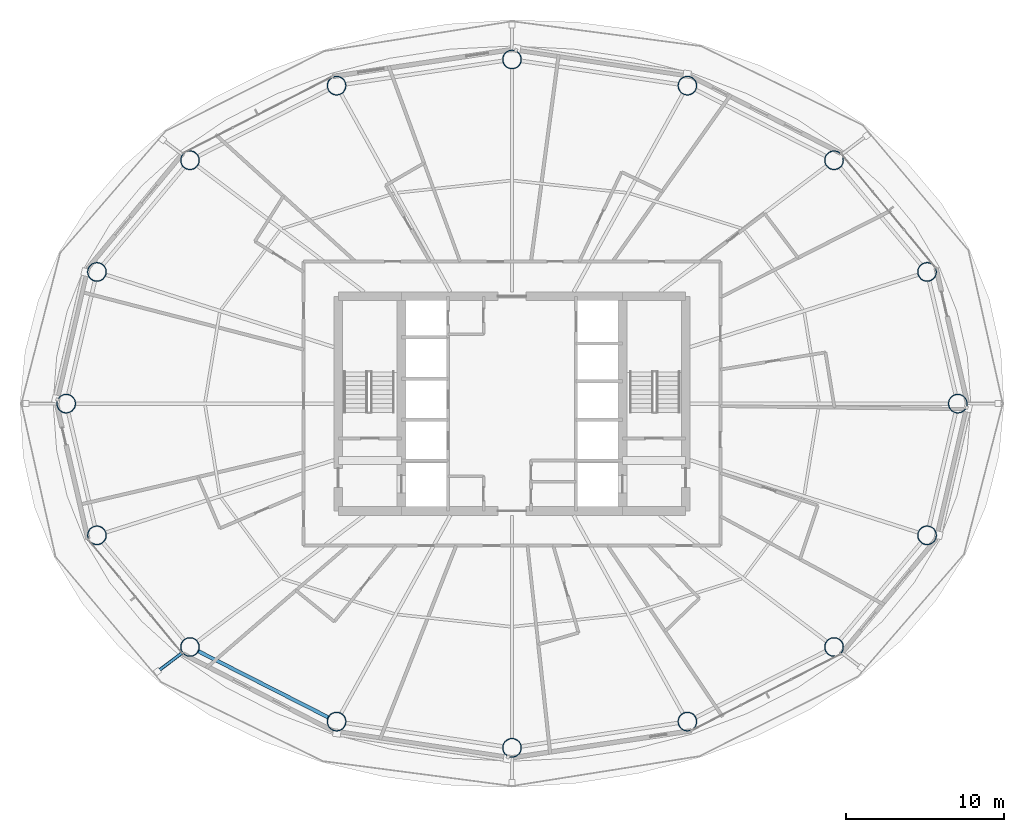
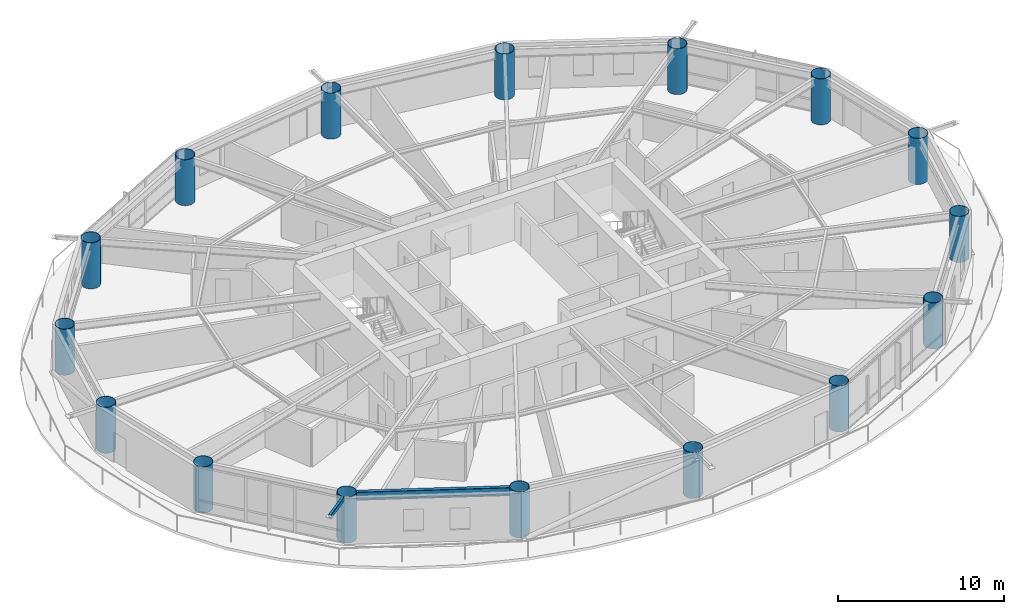
# One storey, part 1 of 24: 16 columns, 1 beam, 1 member.
"""IFC4 building model written with IfcOpenShell, lengths in metres."""

from ifc_helpers import new_model, si_unit, direction, frame, origin, origin_2d, place, context, subcontext, project, spatial, hollow_rectangle, hollow_circle, i_section, extrude, material, material_profile, profile_set, type_object, element, save


model = new_model("IFC4")

# Units and contexts
model_context = context("Model", 3, precision=1e-05, world=origin(), true_north=direction((0.0, 1.0)))
body_context = subcontext(model_context, "Body", "Model", "MODEL_VIEW")
ifc_project = project(units=[si_unit("LENGTHUNIT", "METRE"), si_unit("AREAUNIT", "SQUARE_METRE"), si_unit("VOLUMEUNIT", "CUBIC_METRE"), si_unit("PLANEANGLEUNIT", "RADIAN"), si_unit("MASSUNIT", "GRAM", prefix="KILO")], contexts=[model_context])

# Site, building, storey
site_placement = place(None, origin())
site = spatial("IfcSite", under=ifc_project, at=site_placement, CompositionType="ELEMENT")
building_placement = place(site_placement, origin())
building = spatial("IfcBuilding", under=site, at=building_placement, Name="Sarneth Arch Tower", CompositionType="ELEMENT")
storey_placement = place(building_placement, frame((0.0, 0.0, 112.800048828125)))
storey = spatial("IfcBuildingStorey", under=building, at=storey_placement, Name="L28", CompositionType="ELEMENT", Elevation=112.800048828125)

# Columns
ifc_material_1 = material(Name="Steel S355", Category="steel")
ifc_material_profile_1 = material_profile(ifc_material_1, hollow_circle(Radius=0.60009765625, WallThickness=0.031982421875, at=origin_2d()), Name="CHS1200x32")
ifc_profile_set_1 = profile_set([ifc_material_profile_1], Name="Steel S355")
column_type = type_object("IfcColumnType", Name="COL-MEGA-1200", PredefinedType="COLUMN", material=ifc_profile_set_1)
for number, where, z_axis, x_axis, name in (
    (1, (76.236572265625, 42.0, 0.0), (0.0, 0.0, 1.0), (1.0, 0.0, 0.0), "L28 Perimeter mega-column M01"),
    (2, (74.291259765625, 50.342529296875, 0.0), (0.0, 0.0, 1.0), (1.0, 0.0, 0.0), "L28 Perimeter mega-column M02"),
    (3, (68.397705078125, 57.4150390625, 0.0), (0.0, 0.0, 1.0), (1.0, 0.0, 0.0), "L28 Perimeter mega-column M03"),
    (4, (59.1103515625, 62.140625, 0.0), (0.0, 0.0, 1.0), (1.0, 0.0, 0.0), "L28 Perimeter mega-column M04"),
    (5, (48.0, 63.800048828125, 0.0), (0.0, 0.0, 1.0), (1.0, 0.0, 0.0), "L28 Perimeter mega-column M05"),
    (6, (36.8896484375, 62.140625, 0.0), (0.0, 0.0, 1.0), (1.0, 0.0, 0.0), "L28 Perimeter mega-column M06"),
    (7, (27.602294921875, 57.4150390625, 0.0), (0.0, 0.0, 1.0), (1.0, 0.0, 0.0), "L28 Perimeter mega-column M07"),
    (8, (21.708740234375, 50.342529296875, 0.0), (0.0, 0.0, 1.0), (1.0, 0.0, 0.0), "L28 Perimeter mega-column M08"),
    (9, (19.763427734375, 42.0, 0.0), (0.0, 0.0, 1.0), (1.0, 0.0, 0.0), "L28 Perimeter mega-column M09"),
    (10, (21.708740234375, 33.657470703125, 0.0), (0.0, 0.0, 1.0), (1.0, 0.0, 0.0), "L28 Perimeter mega-column M10"),
    (11, (27.602294921875, 26.5849609375, 0.0), (0.0, 0.0, 1.0), (1.0, 0.0, 0.0), "L28 Perimeter mega-column M11"),
    (12, (36.8896484375, 21.859375, 0.0), (0.0, 0.0, 1.0), (1.0, 0.0, 0.0), "L28 Perimeter mega-column M12"),
    (13, (48.0, 20.199951171875, 0.0), (0.0, 0.0, 1.0), (1.0, 0.0, 0.0), "L28 Perimeter mega-column M13"),
    (14, (59.1103515625, 21.859375, 0.0), (0.0, 0.0, 1.0), (1.0, 0.0, 0.0), "L28 Perimeter mega-column M14"),
    (15, (68.397705078125, 26.5849609375, 0.0), (0.0, 0.0, 1.0), (1.0, 0.0, 0.0), "L28 Perimeter mega-column M15"),
    (16, (74.291259765625, 33.657470703125, 0.0), (0.0, 0.0, 1.0), (1.0, 0.0, 0.0), "L28 Perimeter mega-column M16"),
):
    element("IfcColumn", number, at=place(storey_placement, frame(where, z_axis=z_axis, x_axis=x_axis)), inside=storey, type_object=column_type, Name=name, PredefinedType="COLUMN", context=body_context, shape_type="SweptSolid", body=[
        extrude(hollow_circle(Radius=0.60009765625, WallThickness=0.031982421875, at=origin_2d()), origin(), (0.0, 0.0, 1.0), 3.3798828125),
    ])

# Beam
ifc_material_2 = material(Name="Steel S355", Category="steel")
ifc_material_profile_2 = material_profile(ifc_material_2, i_section(OverallWidth=0.22900390625, OverallDepth=0.612060546875, WebThickness=0.011962890625, FlangeThickness=0.01953125, FilletRadius=0.01904296875, at=origin_2d()), Name="W610x125")
ifc_profile_set_2 = profile_set([ifc_material_profile_2], Name="Steel S355")
beam_type = type_object("IfcBeamType", Name="BM-SPAN-610C", PredefinedType="SPANDREL", material=ifc_profile_set_2)
beam_placement = place(storey_placement, frame((28.13720703125, 26.31298828125, 3.073974609375), z_axis=(0.891259443414, -0.453493775619, 0.0), x_axis=(0.453493775619, 0.891259443414, 0.0)))
element("IfcBeam", 17, at=beam_placement, inside=storey, type_object=beam_type, Name="L28 Perimeter spandrel beam 11", PredefinedType="SPANDREL", context=body_context, shape_type="SweptSolid", body=[
    extrude(i_section(OverallWidth=0.22900390625, OverallDepth=0.612060546875, WebThickness=0.011962890625, FlangeThickness=0.01953125, FilletRadius=0.01904296875, at=origin_2d()), origin(), (0.0, 0.0, 1.0), 9.220458984375),
])

# Member
ifc_material_3 = material(Name="Steel S355", Category="steel")
ifc_material_profile_3 = material_profile(ifc_material_3, hollow_rectangle(XDim=0.199951171875, YDim=0.300048828125, WallThickness=0.012451171875, InnerFilletRadius=0.018798828125, OuterFilletRadius=0.03125, at=origin_2d()), Name="RHS300x200x12.5")
ifc_profile_set_3 = profile_set([ifc_material_profile_3], Name="Steel S355")
member_type = type_object("IfcMemberType", Name="MEM-CANT-STRUT", PredefinedType="STRUT", material=ifc_profile_set_3)
member_placement = place(storey_placement, frame((27.123779296875, 26.223388671875, 3.219970703125), z_axis=(-0.797848868008, -0.602857515354, 0.0), x_axis=(0.602857515354, -0.797848868008, 0.0)))
element("IfcMember", 18, at=member_placement, inside=storey, type_object=member_type, Name="L28 Balcony cantilever bracket 11", PredefinedType="STRUT", context=body_context, shape_type="SweptSolid", body=[
    extrude(hollow_rectangle(XDim=0.199951171875, YDim=0.300048828125, WallThickness=0.012451171875, InnerFilletRadius=0.018798828125, OuterFilletRadius=0.03125, at=origin_2d()), origin(), (0.0, 0.0, 1.0), 1.9794921875),
])

save(model, "model.ifc")
